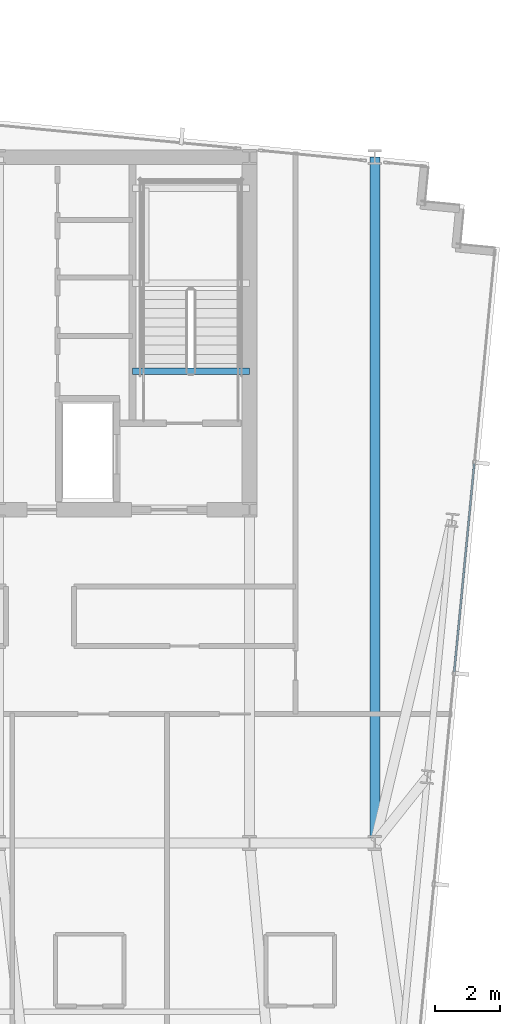
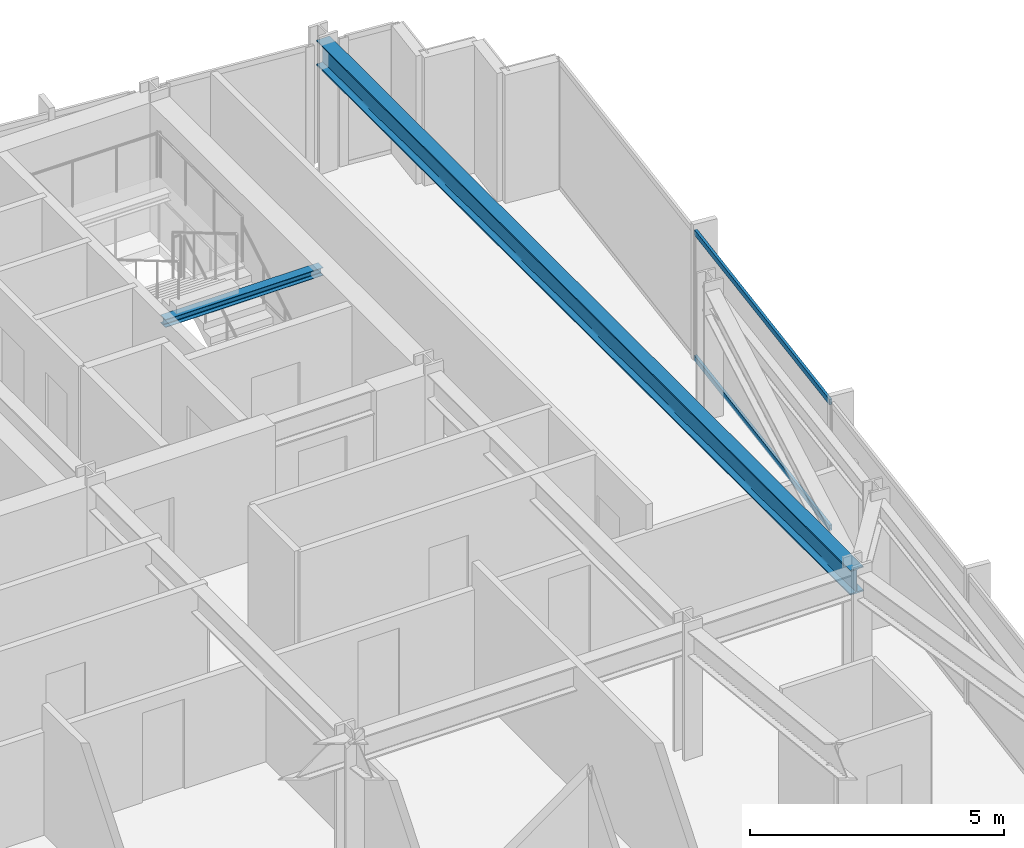
# One storey, part 19 of 37: 2 beams, 2 members, 1 element without a shape of its own.
"""IFC4 building model written with IfcOpenShell, lengths in metres."""

from ifc_helpers import new_model, si_unit, direction, frame, origin, origin_2d, place, context, subcontext, project, spatial, hollow_rectangle, i_section, extrude, material, material_profile, profile_set, type_object, element, aggregate, save


model = new_model("IFC4")

# Units and contexts
model_context = context("Model", 3, precision=1e-05, world=origin(), true_north=direction((0.0, 1.0)))
body_context = subcontext(model_context, "Body", "Model", "MODEL_VIEW")
ifc_project = project(units=[si_unit("LENGTHUNIT", "METRE"), si_unit("AREAUNIT", "SQUARE_METRE"), si_unit("VOLUMEUNIT", "CUBIC_METRE"), si_unit("PLANEANGLEUNIT", "RADIAN"), si_unit("MASSUNIT", "GRAM", prefix="KILO")], contexts=[model_context])

# Site, building, storey
site_placement = place(None, origin())
site = spatial("IfcSite", under=ifc_project, at=site_placement, CompositionType="ELEMENT")
building_placement = place(site_placement, origin())
building = spatial("IfcBuilding", under=site, at=building_placement, Name="Yelkora Congress Tower", CompositionType="ELEMENT")
storey_placement = place(building_placement, frame((0.0, 0.0, 182.0)))
storey = spatial("IfcBuildingStorey", under=building, at=storey_placement, Name="L50", CompositionType="ELEMENT", Elevation=182.0)

# Beams
ifc_material_1 = material(Name="Steel S355J2", Category="steel")
ifc_material_profile_1 = material_profile(ifc_material_1, i_section(OverallWidth=0.300048828125, OverallDepth=0.60009765625, WebThickness=0.015380859375, FlangeThickness=0.030029296875, FilletRadius=0.027099609375, at=origin_2d()), Name="HEB 600")
ifc_profile_set_1 = profile_set([ifc_material_profile_1], Name="Steel S355J2")
beam_type_1 = type_object("IfcBeamType", Name="BM-GIRD-HEB600", PredefinedType="BEAM", material=ifc_profile_set_1)
beam_1_placement = place(storey_placement, frame((57.60009765625, 25.199951171875, 2.780029296875), z_axis=(0.0, 1.0, 0.0), x_axis=(-1.0, 0.0, 0.0)))
element("IfcBeam", 1, at=beam_1_placement, inside=storey, type_object=beam_type_1, Name="L50 Neck Flank Girder MC-F2", PredefinedType="BEAM", context=body_context, shape_type="SweptSolid", body=[
    extrude(i_section(OverallWidth=0.300048828125, OverallDepth=0.60009765625, WebThickness=0.015380859375, FlangeThickness=0.030029296875, FilletRadius=0.027099609375, at=origin_2d()), origin(), (0.0, 0.0, 1.0), 21.0),
])
ifc_material_profile_2 = material_profile(ifc_material_1, i_section(OverallWidth=0.199951171875, OverallDepth=0.18994140625, WebThickness=0.006591796875, FlangeThickness=0.010009765625, FilletRadius=0.01806640625, at=origin_2d()), Name="HEA 200")
ifc_profile_set_2 = profile_set([ifc_material_profile_2], Name="Steel S355J2")
beam_type_2 = type_object("IfcBeamType", Name="BM-LAND-HEA200", PredefinedType="BEAM", material=ifc_profile_set_2)
beam_2_placement = place(storey_placement, frame((50.179931640625, 39.639892578125, 2.85400390625), z_axis=(1.0, 0.0, 0.0), x_axis=(0.0, 1.0, 0.0)))
element("IfcBeam", 2, at=beam_2_placement, inside=storey, type_object=beam_type_2, Name="ST-02 L50 Floor Arrival Stringer Header Beam", PredefinedType="BEAM", context=body_context, shape_type="SweptSolid", body=[
    extrude(i_section(OverallWidth=0.199951171875, OverallDepth=0.18994140625, WebThickness=0.006591796875, FlangeThickness=0.010009765625, FilletRadius=0.01806640625, at=origin_2d()), origin(), (0.0, 0.0, 1.0), 3.580078125),
])

# Curtain wall, members
ifc_material_2 = material(Name="Anodised aluminium and insulated glass", Category="aluminium")
curtain_wall_type = type_object("IfcCurtainWallType", Name="CW-SYS-B3", PredefinedType="NOTDEFINED", material=ifc_material_2)
curtain_wall_placement = place(storey_placement, origin())
curtain_wall = element("IfcCurtainWall", 3, at=curtain_wall_placement, inside=storey, type_object=curtain_wall_type, Name="L50 Unitised Curtain Wall 15", PredefinedType="NOTDEFINED")
ifc_material_3 = material(Name="Anodised aluminium 6063-T6", Category="aluminium")
ifc_material_profile_3 = material_profile(ifc_material_3, hollow_rectangle(XDim=0.06005859375, YDim=0.1298828125, WallThickness=0.00390625, at=origin_2d()), Name="ALU 60x130x4")
ifc_profile_set_3 = profile_set([ifc_material_profile_3], Name="Anodised aluminium 6063-T6")
member_type = type_object("IfcMemberType", Name="MEM-TR-B3", PredefinedType="USERDEFINED", material=ifc_profile_set_3)
member_1_placement = place(storey_placement, frame((60.642822265625, 36.81494140625, 0.030029296875), z_axis=(-0.095843682057, -0.995396397728, 0.0), x_axis=(0.995396397728, -0.095843682057, 0.0)))
member_1 = element("IfcMember", 4, at=member_1_placement, type_object=member_type, Name="CW-B3 transom 2.1", ObjectType="TRANSOM", PredefinedType="USERDEFINED", context=body_context, shape_type="SweptSolid", body=[
    extrude(hollow_rectangle(XDim=0.06005859375, YDim=0.1298828125, WallThickness=0.00390625, at=origin_2d()), origin(), (0.0, 0.0, 1.0), 6.4140625),
])
member_2_placement = place(storey_placement, frame((60.642822265625, 36.81494140625, 3.050048828125), z_axis=(-0.095843682057, -0.995396397728, 0.0), x_axis=(0.995396397728, -0.095843682057, 0.0)))
member_2 = element("IfcMember", 5, at=member_2_placement, type_object=member_type, Name="CW-B3 transom 2.2", ObjectType="TRANSOM", PredefinedType="USERDEFINED", context=body_context, shape_type="SweptSolid", body=[
    extrude(hollow_rectangle(XDim=0.06005859375, YDim=0.1298828125, WallThickness=0.00390625, at=origin_2d()), origin(), (0.0, 0.0, 1.0), 6.4140625),
])
aggregate(curtain_wall, [member_1, member_2])

save(model, "model.ifc")
